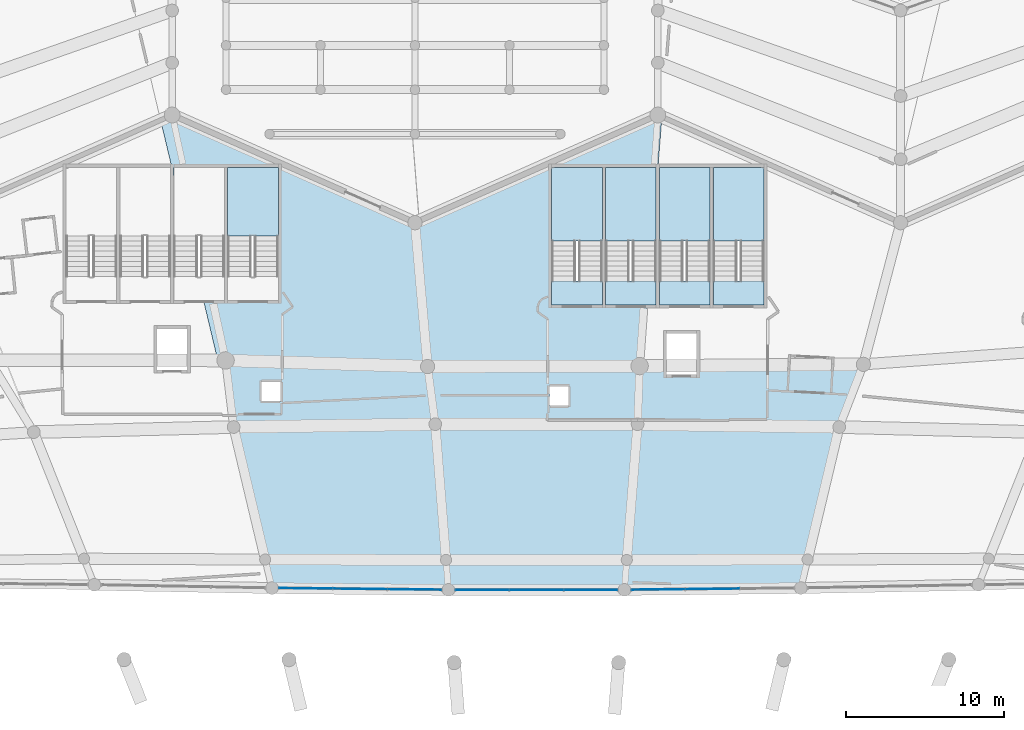
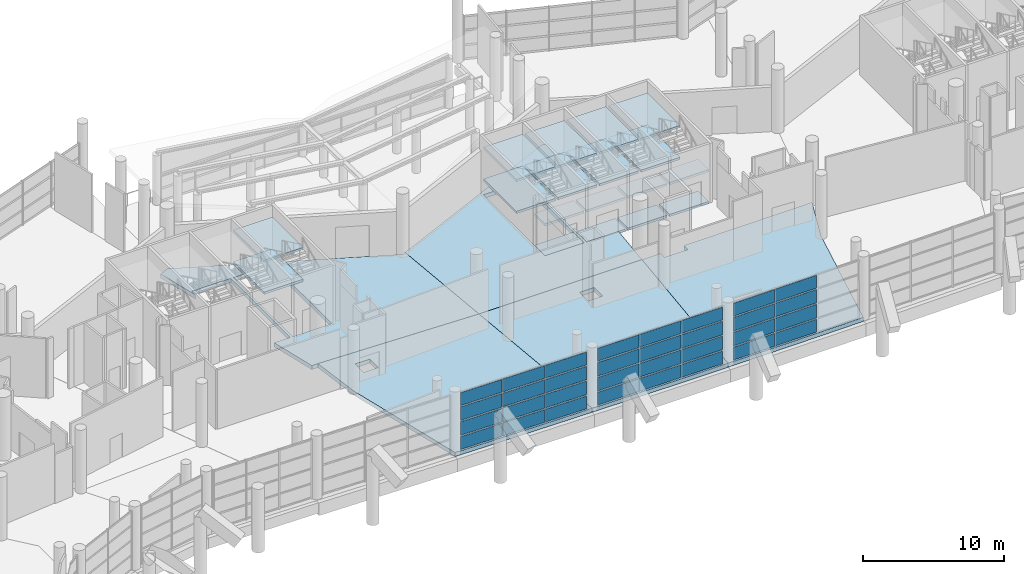
# One storey, part 145 of 271: 32 plates, 23 slabs, 8 elements without a shape of their own.
"""IFC4 building model written with IfcOpenShell, lengths in metres."""

from ifc_helpers import new_model, si_unit, direction, frame, origin, origin_2d, place, context, subcontext, project, spatial, polyline, rectangle, outline, extrude, material, layer, layer_set, type_object, element, aggregate, save


model = new_model("IFC4")

# Units and contexts
model_context = context("Model", 3, precision=1e-05, world=origin(), true_north=direction((0.0, 1.0)))
body_context = subcontext(model_context, "Body", "Model", "MODEL_VIEW")
ifc_project = project(units=[si_unit("LENGTHUNIT", "METRE"), si_unit("AREAUNIT", "SQUARE_METRE"), si_unit("VOLUMEUNIT", "CUBIC_METRE"), si_unit("PLANEANGLEUNIT", "RADIAN"), si_unit("MASSUNIT", "GRAM", prefix="KILO")], contexts=[model_context])

# Site, building, storey
site_placement = place(None, origin())
site = spatial("IfcSite", under=ifc_project, at=site_placement, CompositionType="ELEMENT")
building_placement = place(site_placement, origin())
building = spatial("IfcBuilding", under=site, at=building_placement, Name="Meseta Stadium", CompositionType="ELEMENT")
storey_placement = place(building_placement, frame((0.0, 0.0, 6.5)))
storey = spatial("IfcBuildingStorey", under=building, at=storey_placement, Name="L01", CompositionType="ELEMENT", Elevation=6.5)

# Curtain wall, plates
ifc_material_1 = material(Name="Aluminium", Category="aluminium")
ifc_layer_1 = layer(ifc_material_1, 0.199951171875)
ifc_layer_set_1 = layer_set([ifc_layer_1], Name="Club glazing curtain wall")
curtain_wall_type = type_object("IfcCurtainWallType", Name="Club glazing curtain wall", PredefinedType="NOTDEFINED", material=ifc_layer_set_1)
curtain_wall_1_placement = place(storey_placement, origin())
curtain_wall_1 = element("IfcCurtainWall", 1, at=curtain_wall_1_placement, inside=storey, type_object=curtain_wall_type, Name="Club glazing bay 17", PredefinedType="NOTDEFINED")
ifc_material_2 = material(Name="Glass", Category="glass")
ifc_layer_2 = layer(ifc_material_2, 0.028076171875)
ifc_layer_set_2 = layer_set([ifc_layer_2], Name="CW glass panel 28")
plate_type = type_object("IfcPlateType", Name="CW glass panel 28", PredefinedType="CURTAIN_PANEL", material=ifc_layer_set_2)
plate_1_placement = place(storey_placement, frame((11.127197265625, 75.47216796875, 0.1201171875), z_axis=(0.0, 0.0, 1.0), x_axis=(-0.999947169774, -0.010278991253, 0.0)))
plate_1 = element("IfcPlate", 2, at=plate_1_placement, type_object=plate_type, Name="CWC panel 2.1", PredefinedType="CURTAIN_PANEL", context=body_context, shape_type="SweptSolid", body=[
    extrude(rectangle(XDim=3.38720703125, YDim=0.028076171875, at=origin_2d()), origin(), (0.0, 0.0, 1.0), 1.107421875),
])
plate_2_placement = place(storey_placement, frame((11.127197265625, 75.47216796875, 1.347412109375), z_axis=(0.0, 0.0, 1.0), x_axis=(-0.999947169774, -0.010278991253, 0.0)))
plate_2 = element("IfcPlate", 3, at=plate_2_placement, type_object=plate_type, Name="CWC panel 2.2", PredefinedType="CURTAIN_PANEL", context=body_context, shape_type="SweptSolid", body=[
    extrude(rectangle(XDim=3.38720703125, YDim=0.028076171875, at=origin_2d()), origin(), (0.0, 0.0, 1.0), 1.16748046875),
])
plate_3_placement = place(storey_placement, frame((11.127197265625, 75.47216796875, 2.635009765625), z_axis=(0.0, 0.0, 1.0), x_axis=(-0.999947169774, -0.010278991253, 0.0)))
plate_3 = element("IfcPlate", 4, at=plate_3_placement, type_object=plate_type, Name="CWC panel 2.3", PredefinedType="CURTAIN_PANEL", context=body_context, shape_type="SweptSolid", body=[
    extrude(rectangle(XDim=3.38720703125, YDim=0.028076171875, at=origin_2d()), origin(), (0.0, 0.0, 1.0), 1.16748046875),
])
plate_4_placement = place(storey_placement, frame((11.127197265625, 75.47216796875, 3.922607421875), z_axis=(0.0, 0.0, 1.0), x_axis=(-0.999947169774, -0.010278991253, 0.0)))
plate_4 = element("IfcPlate", 5, at=plate_4_placement, type_object=plate_type, Name="CWC panel 2.4", PredefinedType="CURTAIN_PANEL", context=body_context, shape_type="SweptSolid", body=[
    extrude(rectangle(XDim=3.38720703125, YDim=0.028076171875, at=origin_2d()), origin(), (0.0, 0.0, 1.0), 1.107421875),
])
plate_5_placement = place(storey_placement, frame((7.695068359375, 75.43701171875, 0.1201171875), z_axis=(0.0, 0.0, 1.0), x_axis=(-0.999947169774, -0.010278991253, 0.0)))
plate_5 = element("IfcPlate", 6, at=plate_5_placement, type_object=plate_type, Name="CWC panel 3.1", PredefinedType="CURTAIN_PANEL", context=body_context, shape_type="SweptSolid", body=[
    extrude(rectangle(XDim=3.357177734375, YDim=0.028076171875, at=origin_2d()), origin(), (0.0, 0.0, 1.0), 1.107421875),
])
plate_6_placement = place(storey_placement, frame((7.695068359375, 75.43701171875, 1.347412109375), z_axis=(0.0, 0.0, 1.0), x_axis=(-0.999947169774, -0.010278991253, 0.0)))
plate_6 = element("IfcPlate", 7, at=plate_6_placement, type_object=plate_type, Name="CWC panel 3.2", PredefinedType="CURTAIN_PANEL", context=body_context, shape_type="SweptSolid", body=[
    extrude(rectangle(XDim=3.357177734375, YDim=0.028076171875, at=origin_2d()), origin(), (0.0, 0.0, 1.0), 1.16748046875),
])
plate_7_placement = place(storey_placement, frame((7.695068359375, 75.43701171875, 2.635009765625), z_axis=(0.0, 0.0, 1.0), x_axis=(-0.999947169774, -0.010278991253, 0.0)))
plate_7 = element("IfcPlate", 8, at=plate_7_placement, type_object=plate_type, Name="CWC panel 3.3", PredefinedType="CURTAIN_PANEL", context=body_context, shape_type="SweptSolid", body=[
    extrude(rectangle(XDim=3.357177734375, YDim=0.028076171875, at=origin_2d()), origin(), (0.0, 0.0, 1.0), 1.16748046875),
])
plate_8_placement = place(storey_placement, frame((7.695068359375, 75.43701171875, 3.922607421875), z_axis=(0.0, 0.0, 1.0), x_axis=(-0.999947169774, -0.010278991253, 0.0)))
plate_8 = element("IfcPlate", 9, at=plate_8_placement, type_object=plate_type, Name="CWC panel 3.4", PredefinedType="CURTAIN_PANEL", context=body_context, shape_type="SweptSolid", body=[
    extrude(rectangle(XDim=3.357177734375, YDim=0.028076171875, at=origin_2d()), origin(), (0.0, 0.0, 1.0), 1.107421875),
])
aggregate(curtain_wall_1, [plate_1, plate_2, plate_3, plate_4, plate_5, plate_6, plate_7, plate_8])

curtain_wall_2_placement = place(storey_placement, origin())
curtain_wall_2 = element("IfcCurtainWall", 10, at=curtain_wall_2_placement, inside=storey, type_object=curtain_wall_type, Name="Club glazing bay 18", PredefinedType="NOTDEFINED")
plate_9_placement = place(storey_placement, frame((3.4228515625, 75.4150390625, 0.1201171875), z_axis=(0.0, 0.0, 1.0), x_axis=(-1.0, 0.0, 0.0)))
plate_9 = element("IfcPlate", 11, at=plate_9_placement, type_object=plate_type, Name="CWC panel 1.1", PredefinedType="CURTAIN_PANEL", context=body_context, shape_type="SweptSolid", body=[
    extrude(rectangle(XDim=3.347900390625, YDim=0.028076171875, at=origin_2d()), origin(), (0.0, 0.0, 1.0), 1.107421875),
])
plate_10_placement = place(storey_placement, frame((3.4228515625, 75.4150390625, 1.347412109375), z_axis=(0.0, 0.0, 1.0), x_axis=(-1.0, 0.0, 0.0)))
plate_10 = element("IfcPlate", 12, at=plate_10_placement, type_object=plate_type, Name="CWC panel 1.2", PredefinedType="CURTAIN_PANEL", context=body_context, shape_type="SweptSolid", body=[
    extrude(rectangle(XDim=3.347900390625, YDim=0.028076171875, at=origin_2d()), origin(), (0.0, 0.0, 1.0), 1.16748046875),
])
plate_11_placement = place(storey_placement, frame((3.4228515625, 75.4150390625, 2.635009765625), z_axis=(0.0, 0.0, 1.0), x_axis=(-1.0, 0.0, 0.0)))
plate_11 = element("IfcPlate", 13, at=plate_11_placement, type_object=plate_type, Name="CWC panel 1.3", PredefinedType="CURTAIN_PANEL", context=body_context, shape_type="SweptSolid", body=[
    extrude(rectangle(XDim=3.347900390625, YDim=0.028076171875, at=origin_2d()), origin(), (0.0, 0.0, 1.0), 1.16748046875),
])
plate_12_placement = place(storey_placement, frame((3.4228515625, 75.4150390625, 3.922607421875), z_axis=(0.0, 0.0, 1.0), x_axis=(-1.0, 0.0, 0.0)))
plate_12 = element("IfcPlate", 14, at=plate_12_placement, type_object=plate_type, Name="CWC panel 1.4", PredefinedType="CURTAIN_PANEL", context=body_context, shape_type="SweptSolid", body=[
    extrude(rectangle(XDim=3.347900390625, YDim=0.028076171875, at=origin_2d()), origin(), (0.0, 0.0, 1.0), 1.107421875),
])
plate_13_placement = place(storey_placement, frame((0.0, 75.4150390625, 0.1201171875), z_axis=(0.0, 0.0, 1.0), x_axis=(-1.0, 0.0, 0.0)))
plate_13 = element("IfcPlate", 15, at=plate_13_placement, type_object=plate_type, Name="CWC panel 2.1", PredefinedType="CURTAIN_PANEL", context=body_context, shape_type="SweptSolid", body=[
    extrude(rectangle(XDim=3.3779296875, YDim=0.028076171875, at=origin_2d()), origin(), (0.0, 0.0, 1.0), 1.107421875),
])
plate_14_placement = place(storey_placement, frame((0.0, 75.4150390625, 1.347412109375), z_axis=(0.0, 0.0, 1.0), x_axis=(-1.0, 0.0, 0.0)))
plate_14 = element("IfcPlate", 16, at=plate_14_placement, type_object=plate_type, Name="CWC panel 2.2", PredefinedType="CURTAIN_PANEL", context=body_context, shape_type="SweptSolid", body=[
    extrude(rectangle(XDim=3.3779296875, YDim=0.028076171875, at=origin_2d()), origin(), (0.0, 0.0, 1.0), 1.16748046875),
])
plate_15_placement = place(storey_placement, frame((0.0, 75.4150390625, 2.635009765625), z_axis=(0.0, 0.0, 1.0), x_axis=(-1.0, 0.0, 0.0)))
plate_15 = element("IfcPlate", 17, at=plate_15_placement, type_object=plate_type, Name="CWC panel 2.3", PredefinedType="CURTAIN_PANEL", context=body_context, shape_type="SweptSolid", body=[
    extrude(rectangle(XDim=3.3779296875, YDim=0.028076171875, at=origin_2d()), origin(), (0.0, 0.0, 1.0), 1.16748046875),
])
plate_16_placement = place(storey_placement, frame((0.0, 75.4150390625, 3.922607421875), z_axis=(0.0, 0.0, 1.0), x_axis=(-1.0, 0.0, 0.0)))
plate_16 = element("IfcPlate", 18, at=plate_16_placement, type_object=plate_type, Name="CWC panel 2.4", PredefinedType="CURTAIN_PANEL", context=body_context, shape_type="SweptSolid", body=[
    extrude(rectangle(XDim=3.3779296875, YDim=0.028076171875, at=origin_2d()), origin(), (0.0, 0.0, 1.0), 1.107421875),
])
plate_17_placement = place(storey_placement, frame((-3.4228515625, 75.4150390625, 0.1201171875), z_axis=(0.0, 0.0, 1.0), x_axis=(-1.0, 0.0, 0.0)))
plate_17 = element("IfcPlate", 19, at=plate_17_placement, type_object=plate_type, Name="CWC panel 3.1", PredefinedType="CURTAIN_PANEL", context=body_context, shape_type="SweptSolid", body=[
    extrude(rectangle(XDim=3.347900390625, YDim=0.028076171875, at=origin_2d()), origin(), (0.0, 0.0, 1.0), 1.107421875),
])
plate_18_placement = place(storey_placement, frame((-3.4228515625, 75.4150390625, 1.347412109375), z_axis=(0.0, 0.0, 1.0), x_axis=(-1.0, 0.0, 0.0)))
plate_18 = element("IfcPlate", 20, at=plate_18_placement, type_object=plate_type, Name="CWC panel 3.2", PredefinedType="CURTAIN_PANEL", context=body_context, shape_type="SweptSolid", body=[
    extrude(rectangle(XDim=3.347900390625, YDim=0.028076171875, at=origin_2d()), origin(), (0.0, 0.0, 1.0), 1.16748046875),
])
plate_19_placement = place(storey_placement, frame((-3.4228515625, 75.4150390625, 2.635009765625), z_axis=(0.0, 0.0, 1.0), x_axis=(-1.0, 0.0, 0.0)))
plate_19 = element("IfcPlate", 21, at=plate_19_placement, type_object=plate_type, Name="CWC panel 3.3", PredefinedType="CURTAIN_PANEL", context=body_context, shape_type="SweptSolid", body=[
    extrude(rectangle(XDim=3.347900390625, YDim=0.028076171875, at=origin_2d()), origin(), (0.0, 0.0, 1.0), 1.16748046875),
])
plate_20_placement = place(storey_placement, frame((-3.4228515625, 75.4150390625, 3.922607421875), z_axis=(0.0, 0.0, 1.0), x_axis=(-1.0, 0.0, 0.0)))
plate_20 = element("IfcPlate", 22, at=plate_20_placement, type_object=plate_type, Name="CWC panel 3.4", PredefinedType="CURTAIN_PANEL", context=body_context, shape_type="SweptSolid", body=[
    extrude(rectangle(XDim=3.347900390625, YDim=0.028076171875, at=origin_2d()), origin(), (0.0, 0.0, 1.0), 1.107421875),
])
aggregate(curtain_wall_2, [plate_9, plate_10, plate_11, plate_12, plate_13, plate_14, plate_15, plate_16, plate_17, plate_18, plate_19, plate_20])

curtain_wall_3_placement = place(storey_placement, origin())
curtain_wall_3 = element("IfcCurtainWall", 23, at=curtain_wall_3_placement, inside=storey, type_object=curtain_wall_type, Name="Club glazing bay 19", PredefinedType="NOTDEFINED")
plate_21_placement = place(storey_placement, frame((-7.695068359375, 75.43701171875, 0.1201171875), z_axis=(0.0, 0.0, 1.0), x_axis=(-0.999947169774, 0.010278991253, 0.0)))
plate_21 = element("IfcPlate", 24, at=plate_21_placement, type_object=plate_type, Name="CWC panel 1.1", PredefinedType="CURTAIN_PANEL", context=body_context, shape_type="SweptSolid", body=[
    extrude(rectangle(XDim=3.357177734375, YDim=0.028076171875, at=origin_2d()), origin(), (0.0, 0.0, 1.0), 1.107421875),
])
plate_22_placement = place(storey_placement, frame((-7.695068359375, 75.43701171875, 1.347412109375), z_axis=(0.0, 0.0, 1.0), x_axis=(-0.999947169774, 0.010278991253, 0.0)))
plate_22 = element("IfcPlate", 25, at=plate_22_placement, type_object=plate_type, Name="CWC panel 1.2", PredefinedType="CURTAIN_PANEL", context=body_context, shape_type="SweptSolid", body=[
    extrude(rectangle(XDim=3.357177734375, YDim=0.028076171875, at=origin_2d()), origin(), (0.0, 0.0, 1.0), 1.16748046875),
])
plate_23_placement = place(storey_placement, frame((-7.695068359375, 75.43701171875, 2.635009765625), z_axis=(0.0, 0.0, 1.0), x_axis=(-0.999947169774, 0.010278991253, 0.0)))
plate_23 = element("IfcPlate", 26, at=plate_23_placement, type_object=plate_type, Name="CWC panel 1.3", PredefinedType="CURTAIN_PANEL", context=body_context, shape_type="SweptSolid", body=[
    extrude(rectangle(XDim=3.357177734375, YDim=0.028076171875, at=origin_2d()), origin(), (0.0, 0.0, 1.0), 1.16748046875),
])
plate_24_placement = place(storey_placement, frame((-7.695068359375, 75.43701171875, 3.922607421875), z_axis=(0.0, 0.0, 1.0), x_axis=(-0.999947169774, 0.010278991253, 0.0)))
plate_24 = element("IfcPlate", 27, at=plate_24_placement, type_object=plate_type, Name="CWC panel 1.4", PredefinedType="CURTAIN_PANEL", context=body_context, shape_type="SweptSolid", body=[
    extrude(rectangle(XDim=3.357177734375, YDim=0.028076171875, at=origin_2d()), origin(), (0.0, 0.0, 1.0), 1.107421875),
])
plate_25_placement = place(storey_placement, frame((-11.127197265625, 75.47216796875, 0.1201171875), z_axis=(0.0, 0.0, 1.0), x_axis=(-0.999947169774, 0.010278991253, 0.0)))
plate_25 = element("IfcPlate", 28, at=plate_25_placement, type_object=plate_type, Name="CWC panel 2.1", PredefinedType="CURTAIN_PANEL", context=body_context, shape_type="SweptSolid", body=[
    extrude(rectangle(XDim=3.38720703125, YDim=0.028076171875, at=origin_2d()), origin(), (0.0, 0.0, 1.0), 1.107421875),
])
plate_26_placement = place(storey_placement, frame((-11.127197265625, 75.47216796875, 1.347412109375), z_axis=(0.0, 0.0, 1.0), x_axis=(-0.999947169774, 0.010278991253, 0.0)))
plate_26 = element("IfcPlate", 29, at=plate_26_placement, type_object=plate_type, Name="CWC panel 2.2", PredefinedType="CURTAIN_PANEL", context=body_context, shape_type="SweptSolid", body=[
    extrude(rectangle(XDim=3.38720703125, YDim=0.028076171875, at=origin_2d()), origin(), (0.0, 0.0, 1.0), 1.16748046875),
])
plate_27_placement = place(storey_placement, frame((-11.127197265625, 75.47216796875, 2.635009765625), z_axis=(0.0, 0.0, 1.0), x_axis=(-0.999947169774, 0.010278991253, 0.0)))
plate_27 = element("IfcPlate", 30, at=plate_27_placement, type_object=plate_type, Name="CWC panel 2.3", PredefinedType="CURTAIN_PANEL", context=body_context, shape_type="SweptSolid", body=[
    extrude(rectangle(XDim=3.38720703125, YDim=0.028076171875, at=origin_2d()), origin(), (0.0, 0.0, 1.0), 1.16748046875),
])
plate_28_placement = place(storey_placement, frame((-11.127197265625, 75.47216796875, 3.922607421875), z_axis=(0.0, 0.0, 1.0), x_axis=(-0.999947169774, 0.010278991253, 0.0)))
plate_28 = element("IfcPlate", 31, at=plate_28_placement, type_object=plate_type, Name="CWC panel 2.4", PredefinedType="CURTAIN_PANEL", context=body_context, shape_type="SweptSolid", body=[
    extrude(rectangle(XDim=3.38720703125, YDim=0.028076171875, at=origin_2d()), origin(), (0.0, 0.0, 1.0), 1.107421875),
])
plate_29_placement = place(storey_placement, frame((-14.55908203125, 75.507568359375, 0.1201171875), z_axis=(0.0, 0.0, 1.0), x_axis=(-0.999947169774, 0.010278991253, 0.0)))
plate_29 = element("IfcPlate", 32, at=plate_29_placement, type_object=plate_type, Name="CWC panel 3.1", PredefinedType="CURTAIN_PANEL", context=body_context, shape_type="SweptSolid", body=[
    extrude(rectangle(XDim=3.357177734375, YDim=0.028076171875, at=origin_2d()), origin(), (0.0, 0.0, 1.0), 1.107421875),
])
plate_30_placement = place(storey_placement, frame((-14.55908203125, 75.507568359375, 1.347412109375), z_axis=(0.0, 0.0, 1.0), x_axis=(-0.999947169774, 0.010278991253, 0.0)))
plate_30 = element("IfcPlate", 33, at=plate_30_placement, type_object=plate_type, Name="CWC panel 3.2", PredefinedType="CURTAIN_PANEL", context=body_context, shape_type="SweptSolid", body=[
    extrude(rectangle(XDim=3.357177734375, YDim=0.028076171875, at=origin_2d()), origin(), (0.0, 0.0, 1.0), 1.16748046875),
])
plate_31_placement = place(storey_placement, frame((-14.55908203125, 75.507568359375, 2.635009765625), z_axis=(0.0, 0.0, 1.0), x_axis=(-0.999947169774, 0.010278991253, 0.0)))
plate_31 = element("IfcPlate", 34, at=plate_31_placement, type_object=plate_type, Name="CWC panel 3.3", PredefinedType="CURTAIN_PANEL", context=body_context, shape_type="SweptSolid", body=[
    extrude(rectangle(XDim=3.357177734375, YDim=0.028076171875, at=origin_2d()), origin(), (0.0, 0.0, 1.0), 1.16748046875),
])
plate_32_placement = place(storey_placement, frame((-14.55908203125, 75.507568359375, 3.922607421875), z_axis=(0.0, 0.0, 1.0), x_axis=(-0.999947169774, 0.010278991253, 0.0)))
plate_32 = element("IfcPlate", 35, at=plate_32_placement, type_object=plate_type, Name="CWC panel 3.4", PredefinedType="CURTAIN_PANEL", context=body_context, shape_type="SweptSolid", body=[
    extrude(rectangle(XDim=3.357177734375, YDim=0.028076171875, at=origin_2d()), origin(), (0.0, 0.0, 1.0), 1.107421875),
])
aggregate(curtain_wall_3, [plate_21, plate_22, plate_23, plate_24, plate_25, plate_26, plate_27, plate_28, plate_29, plate_30, plate_31, plate_32])

# Slabs
ifc_material_3 = material(Name="Concrete C40/50", Category="concrete")
ifc_layer_3 = layer(ifc_material_3, 0.35009765625)
ifc_layer_set_3 = layer_set([ifc_layer_3], Name="Floor slab 350")
slab_type_1 = type_object("IfcSlabType", Name="Floor slab 350", PredefinedType="FLOOR", material=ifc_layer_set_3)
slab_1_placement = place(storey_placement, frame((0.0, 0.0, -0.35009765625)))
element("IfcSlab", 36, at=slab_1_placement, inside=storey, type_object=slab_type_1, Name="Floor slab L01 sector 14 panel 03", PredefinedType="FLOOR", context=body_context, shape_type="SweptSolid", body=[
    extrude(outline(polyline([(-21.023681640625, 93.699951171875), (-20.1201171875, 89.904052734375), (-19.62744140625, 89.90380859375), (-6.87060546875, 89.517822265625), (-6.676025390625, 89.518310546875), (-7.406005859375, 98.715576171875), (-7.666748046875, 98.60009765625), (-23.0, 105.39990234375), (-23.732177734375, 105.0751953125), (-22.89990234375, 101.580078125), (-22.89990234375, 102.10009765625), (-19.699951171875, 102.10009765625), (-19.699951171875, 93.699951171875), (-21.023681640625, 93.699951171875)]), holes=[polyline([(-19.5, 102.10009765625), (-16.300048828125, 102.10009765625), (-16.300048828125, 93.699951171875), (-19.5, 93.699951171875), (-19.5, 102.10009765625)])]), origin(), (0.0, 0.0, 1.0), 0.35009765625),
])
slab_2_placement = place(storey_placement, frame((0.0, 0.0, -0.35009765625)))
element("IfcSlab", 37, at=slab_2_placement, inside=storey, type_object=slab_type_1, Name="Floor slab L01 sector 14 panel 04", PredefinedType="FLOOR", context=body_context, shape_type="SweptSolid", body=[
    extrude(outline(polyline([(-6.676025390625, 89.518310546875), (-6.87060546875, 89.517822265625), (-19.62744140625, 89.90380859375), (-19.11865234375, 85.6982421875), (-16.697509765625, 75.529296875), (-14.836669921875, 75.503173828125), (-12.977783203125, 75.4794921875), (-11.12060546875, 75.458984375), (-9.2646484375, 75.441162109375), (-7.41015625, 75.426513671875), (-5.556640625, 75.414794921875), (-6.676025390625, 89.518310546875)]), holes=[polyline([(-16.14990234375, 87.35009765625), (-17.35009765625, 87.35009765625), (-17.35009765625, 88.550048828125), (-16.14990234375, 88.550048828125), (-16.14990234375, 87.35009765625)])]), origin(), (0.0, 0.0, 1.0), 0.35009765625),
])
slab_3_placement = place(storey_placement, frame((0.0, 0.0, -0.35009765625)))
element("IfcSlab", 38, at=slab_3_placement, inside=storey, type_object=slab_type_1, Name="Floor slab L01 sector 14 panel 05", PredefinedType="FLOOR", context=body_context, shape_type="SweptSolid", body=[
    extrude(outline(polyline([(7.92724609375, 105.284423828125), (7.666748046875, 105.39990234375), (-7.406005859375, 98.715576171875), (-6.676025390625, 89.518310546875), (6.51708984375, 89.54638671875), (6.678466796875, 89.547607421875), (6.984130859375, 93.39990234375), (4.36669921875, 93.39990234375), (4.36669921875, 102.10009765625), (7.566650390625, 102.10009765625), (7.566650390625, 100.740478515625), (7.92724609375, 105.284423828125)]), holes=[polyline([(4.166748046875, 93.39990234375), (0.966796875, 93.39990234375), (0.966796875, 102.10009765625), (4.166748046875, 102.10009765625), (4.166748046875, 93.39990234375)])]), origin(), (0.0, 0.0, 1.0), 0.35009765625),
])
slab_4_placement = place(storey_placement, frame((0.0, 0.0, -0.35009765625)))
element("IfcSlab", 39, at=slab_4_placement, inside=storey, type_object=slab_type_1, Name="Floor slab L01 sector 14 panel 06", PredefinedType="FLOOR", context=body_context, shape_type="SweptSolid", body=[
    extrude(outline(polyline([(5.556640625, 75.414794921875), (6.678466796875, 89.547607421875), (6.51708984375, 89.54638671875), (-6.676025390625, 89.518310546875), (-5.556640625, 75.414794921875), (-3.7041015625, 75.406494140625), (-1.851806640625, 75.401611328125), (0.0, 75.39990234375), (1.851806640625, 75.401611328125), (3.7041015625, 75.406494140625), (5.556640625, 75.414794921875)]), holes=[polyline([(2.0166015625, 88.25), (2.0166015625, 87.050048828125), (0.816650390625, 87.050048828125), (0.816650390625, 88.25), (2.0166015625, 88.25)])]), origin(), (0.0, 0.0, 1.0), 0.35009765625),
])
slab_5_placement = place(storey_placement, frame((0.0, 0.0, -0.35009765625)))
element("IfcSlab", 40, at=slab_5_placement, inside=storey, type_object=slab_type_1, Name="Floor slab L01 sector 14 panel 07", PredefinedType="FLOOR", context=body_context, shape_type="SweptSolid", body=[
    extrude(outline(polyline([(8.216796875, 89.0), (8.216796875, 89.5595703125), (6.678466796875, 89.547607421875), (5.556640625, 75.414794921875), (7.41015625, 75.426513671875), (9.2646484375, 75.441162109375), (11.12060546875, 75.458984375), (12.977783203125, 75.4794921875), (14.836669921875, 75.503173828125), (16.697509765625, 75.529296875), (19.11865234375, 85.698486328125), (20.649658203125, 89.65625), (10.11669921875, 89.574462890625), (10.11669921875, 89.0), (8.216796875, 89.0)])), origin(), (0.0, 0.0, 1.0), 0.35009765625),
])

# Stair, slabs
ifc_material_4 = material(Name="Concrete C40/50", Category="concrete")
stair_type = type_object("IfcStairType", Name="Exit stair 4 flights 153 mm risers", PredefinedType="HALF_TURN_STAIR", material=ifc_material_4)
stair_1_placement = place(storey_placement, origin())
stair_1 = element("IfcStair", 41, at=stair_1_placement, inside=storey, type_object=stair_type, Name="ST37 L01", PredefinedType="HALF_TURN_STAIR")
ifc_material_5 = material(Name="Concrete C40/50", Category="concrete")
ifc_layer_4 = layer(ifc_material_5, 0.199951171875)
ifc_layer_set_4 = layer_set([ifc_layer_4], Name="Stair landing 200")
slab_type_2 = type_object("IfcSlabType", Name="Stair landing 200", PredefinedType="LANDING", material=ifc_layer_set_4)
slab_6_placement = place(storey_placement, frame((0.0, 0.0, 1.175048828125)))
slab_6 = element("IfcSlab", 42, at=slab_6_placement, type_object=slab_type_2, Name="ST37 L01 landing 1", PredefinedType="LANDING", context=body_context, shape_type="SweptSolid", body=[
    extrude(outline(polyline([(14.36669921875, 97.449951171875), (14.36669921875, 102.10009765625), (11.166748046875, 102.10009765625), (11.166748046875, 97.449951171875), (14.36669921875, 97.449951171875)])), origin(), (0.0, 0.0, 1.0), 0.199951171875),
])
slab_7_placement = place(storey_placement, frame((0.0, 0.0, 2.550048828125)))
slab_7 = element("IfcSlab", 43, at=slab_7_placement, type_object=slab_type_2, Name="ST37 L01 landing 2", PredefinedType="LANDING", context=body_context, shape_type="SweptSolid", body=[
    extrude(outline(polyline([(14.36669921875, 93.39990234375), (14.36669921875, 94.909912109375), (11.166748046875, 94.909912109375), (11.166748046875, 93.39990234375), (14.36669921875, 93.39990234375)])), origin(), (0.0, 0.0, 1.0), 0.199951171875),
])
slab_8_placement = place(storey_placement, frame((0.0, 0.0, 3.925048828125)))
slab_8 = element("IfcSlab", 44, at=slab_8_placement, type_object=slab_type_2, Name="ST37 L01 landing 3", PredefinedType="LANDING", context=body_context, shape_type="SweptSolid", body=[
    extrude(outline(polyline([(14.36669921875, 97.449951171875), (14.36669921875, 102.10009765625), (11.166748046875, 102.10009765625), (11.166748046875, 97.449951171875), (14.36669921875, 97.449951171875)])), origin(), (0.0, 0.0, 1.0), 0.199951171875),
])
slab_9_placement = place(storey_placement, frame((0.0, 0.0, -0.199951171875)))
slab_9 = element("IfcSlab", 45, at=slab_9_placement, type_object=slab_type_2, Name="ST37 L01 landing 4", PredefinedType="LANDING", context=body_context, shape_type="SweptSolid", body=[
    extrude(outline(polyline([(14.36669921875, 93.39990234375), (14.36669921875, 94.909912109375), (11.166748046875, 94.909912109375), (11.166748046875, 93.39990234375), (14.36669921875, 93.39990234375)])), origin(), (0.0, 0.0, 1.0), 0.199951171875),
])
aggregate(stair_1, [slab_6, slab_7, slab_8, slab_9])

stair_2_placement = place(storey_placement, origin())
stair_2 = element("IfcStair", 46, at=stair_2_placement, inside=storey, type_object=stair_type, Name="ST38 L01", PredefinedType="HALF_TURN_STAIR")
slab_10_placement = place(storey_placement, frame((0.0, 0.0, 1.175048828125)))
slab_10 = element("IfcSlab", 47, at=slab_10_placement, type_object=slab_type_2, Name="ST38 L01 landing 1", PredefinedType="LANDING", context=body_context, shape_type="SweptSolid", body=[
    extrude(outline(polyline([(10.966552734375, 97.449951171875), (10.966552734375, 102.10009765625), (7.7666015625, 102.10009765625), (7.7666015625, 97.449951171875), (10.966552734375, 97.449951171875)])), origin(), (0.0, 0.0, 1.0), 0.199951171875),
])
slab_11_placement = place(storey_placement, frame((0.0, 0.0, 2.550048828125)))
slab_11 = element("IfcSlab", 48, at=slab_11_placement, type_object=slab_type_2, Name="ST38 L01 landing 2", PredefinedType="LANDING", context=body_context, shape_type="SweptSolid", body=[
    extrude(outline(polyline([(10.966552734375, 93.39990234375), (10.966552734375, 94.909912109375), (7.7666015625, 94.909912109375), (7.7666015625, 93.39990234375), (10.966552734375, 93.39990234375)])), origin(), (0.0, 0.0, 1.0), 0.199951171875),
])
slab_12_placement = place(storey_placement, frame((0.0, 0.0, 3.925048828125)))
slab_12 = element("IfcSlab", 49, at=slab_12_placement, type_object=slab_type_2, Name="ST38 L01 landing 3", PredefinedType="LANDING", context=body_context, shape_type="SweptSolid", body=[
    extrude(outline(polyline([(10.966552734375, 97.449951171875), (10.966552734375, 102.10009765625), (7.7666015625, 102.10009765625), (7.7666015625, 97.449951171875), (10.966552734375, 97.449951171875)])), origin(), (0.0, 0.0, 1.0), 0.199951171875),
])
slab_13_placement = place(storey_placement, frame((0.0, 0.0, -0.199951171875)))
slab_13 = element("IfcSlab", 50, at=slab_13_placement, type_object=slab_type_2, Name="ST38 L01 landing 4", PredefinedType="LANDING", context=body_context, shape_type="SweptSolid", body=[
    extrude(outline(polyline([(10.966552734375, 93.39990234375), (10.966552734375, 94.909912109375), (7.7666015625, 94.909912109375), (7.7666015625, 93.39990234375), (10.966552734375, 93.39990234375)])), origin(), (0.0, 0.0, 1.0), 0.199951171875),
])
aggregate(stair_2, [slab_10, slab_11, slab_12, slab_13])

stair_3_placement = place(storey_placement, origin())
stair_3 = element("IfcStair", 51, at=stair_3_placement, inside=storey, type_object=stair_type, Name="ST39 L01", PredefinedType="HALF_TURN_STAIR")
slab_14_placement = place(storey_placement, frame((0.0, 0.0, 1.175048828125)))
slab_14 = element("IfcSlab", 52, at=slab_14_placement, type_object=slab_type_2, Name="ST39 L01 landing 1", PredefinedType="LANDING", context=body_context, shape_type="SweptSolid", body=[
    extrude(outline(polyline([(7.566650390625, 97.449951171875), (7.566650390625, 102.10009765625), (4.36669921875, 102.10009765625), (4.36669921875, 97.449951171875), (7.566650390625, 97.449951171875)])), origin(), (0.0, 0.0, 1.0), 0.199951171875),
])
slab_15_placement = place(storey_placement, frame((0.0, 0.0, 2.550048828125)))
slab_15 = element("IfcSlab", 53, at=slab_15_placement, type_object=slab_type_2, Name="ST39 L01 landing 2", PredefinedType="LANDING", context=body_context, shape_type="SweptSolid", body=[
    extrude(outline(polyline([(7.566650390625, 93.39990234375), (7.566650390625, 94.909912109375), (4.36669921875, 94.909912109375), (4.36669921875, 93.39990234375), (7.566650390625, 93.39990234375)])), origin(), (0.0, 0.0, 1.0), 0.199951171875),
])
slab_16_placement = place(storey_placement, frame((0.0, 0.0, 3.925048828125)))
slab_16 = element("IfcSlab", 54, at=slab_16_placement, type_object=slab_type_2, Name="ST39 L01 landing 3", PredefinedType="LANDING", context=body_context, shape_type="SweptSolid", body=[
    extrude(outline(polyline([(7.566650390625, 97.449951171875), (7.566650390625, 102.10009765625), (4.36669921875, 102.10009765625), (4.36669921875, 97.449951171875), (7.566650390625, 97.449951171875)])), origin(), (0.0, 0.0, 1.0), 0.199951171875),
])
slab_17_placement = place(storey_placement, frame((0.0, 0.0, -0.199951171875)))
slab_17 = element("IfcSlab", 55, at=slab_17_placement, type_object=slab_type_2, Name="ST39 L01 landing 4", PredefinedType="LANDING", context=body_context, shape_type="SweptSolid", body=[
    extrude(outline(polyline([(7.566650390625, 93.39990234375), (7.566650390625, 94.909912109375), (4.36669921875, 94.909912109375), (4.36669921875, 93.39990234375), (7.566650390625, 93.39990234375)])), origin(), (0.0, 0.0, 1.0), 0.199951171875),
])
aggregate(stair_3, [slab_14, slab_15, slab_16, slab_17])

stair_4_placement = place(storey_placement, origin())
stair_4 = element("IfcStair", 56, at=stair_4_placement, inside=storey, type_object=stair_type, Name="ST40 L01", PredefinedType="HALF_TURN_STAIR")
slab_18_placement = place(storey_placement, frame((0.0, 0.0, 1.175048828125)))
slab_18 = element("IfcSlab", 57, at=slab_18_placement, type_object=slab_type_2, Name="ST40 L01 landing 1", PredefinedType="LANDING", context=body_context, shape_type="SweptSolid", body=[
    extrude(outline(polyline([(4.166748046875, 97.449951171875), (4.166748046875, 102.10009765625), (0.966552734375, 102.10009765625), (0.966552734375, 97.449951171875), (4.166748046875, 97.449951171875)])), origin(), (0.0, 0.0, 1.0), 0.199951171875),
])
slab_19_placement = place(storey_placement, frame((0.0, 0.0, 2.550048828125)))
slab_19 = element("IfcSlab", 58, at=slab_19_placement, type_object=slab_type_2, Name="ST40 L01 landing 2", PredefinedType="LANDING", context=body_context, shape_type="SweptSolid", body=[
    extrude(outline(polyline([(4.166748046875, 93.39990234375), (4.166748046875, 94.909912109375), (0.966552734375, 94.909912109375), (0.966552734375, 93.39990234375), (4.166748046875, 93.39990234375)])), origin(), (0.0, 0.0, 1.0), 0.199951171875),
])
slab_20_placement = place(storey_placement, frame((0.0, 0.0, 3.925048828125)))
slab_20 = element("IfcSlab", 59, at=slab_20_placement, type_object=slab_type_2, Name="ST40 L01 landing 3", PredefinedType="LANDING", context=body_context, shape_type="SweptSolid", body=[
    extrude(outline(polyline([(4.166748046875, 97.449951171875), (4.166748046875, 102.10009765625), (0.966552734375, 102.10009765625), (0.966552734375, 97.449951171875), (4.166748046875, 97.449951171875)])), origin(), (0.0, 0.0, 1.0), 0.199951171875),
])
slab_21_placement = place(storey_placement, frame((0.0, 0.0, -0.199951171875)))
slab_21 = element("IfcSlab", 60, at=slab_21_placement, type_object=slab_type_2, Name="ST40 L01 landing 4", PredefinedType="LANDING", context=body_context, shape_type="SweptSolid", body=[
    extrude(outline(polyline([(4.166748046875, 93.39990234375), (4.166748046875, 94.909912109375), (0.966552734375, 94.909912109375), (0.966552734375, 93.39990234375), (4.166748046875, 93.39990234375)])), origin(), (0.0, 0.0, 1.0), 0.199951171875),
])
aggregate(stair_4, [slab_18, slab_19, slab_20, slab_21])

stair_5_placement = place(storey_placement, origin())
stair_5 = element("IfcStair", 61, at=stair_5_placement, inside=storey, type_object=stair_type, Name="ST41 L01", PredefinedType="HALF_TURN_STAIR")
slab_22_placement = place(storey_placement, frame((0.0, 0.0, 1.175048828125)))
slab_22 = element("IfcSlab", 62, at=slab_22_placement, type_object=slab_type_2, Name="ST41 L01 landing 1", PredefinedType="LANDING", context=body_context, shape_type="SweptSolid", body=[
    extrude(outline(polyline([(-16.300048828125, 97.75), (-16.300048828125, 102.10009765625), (-19.5, 102.10009765625), (-19.5, 97.75), (-16.300048828125, 97.75)])), origin(), (0.0, 0.0, 1.0), 0.199951171875),
])
slab_23_placement = place(storey_placement, frame((0.0, 0.0, 3.925048828125)))
slab_23 = element("IfcSlab", 63, at=slab_23_placement, type_object=slab_type_2, Name="ST41 L01 landing 3", PredefinedType="LANDING", context=body_context, shape_type="SweptSolid", body=[
    extrude(outline(polyline([(-16.300048828125, 97.75), (-16.300048828125, 102.10009765625), (-19.5, 102.10009765625), (-19.5, 97.75), (-16.300048828125, 97.75)])), origin(), (0.0, 0.0, 1.0), 0.199951171875),
])
aggregate(stair_5, [slab_22, slab_23])

save(model, "model.ifc")
